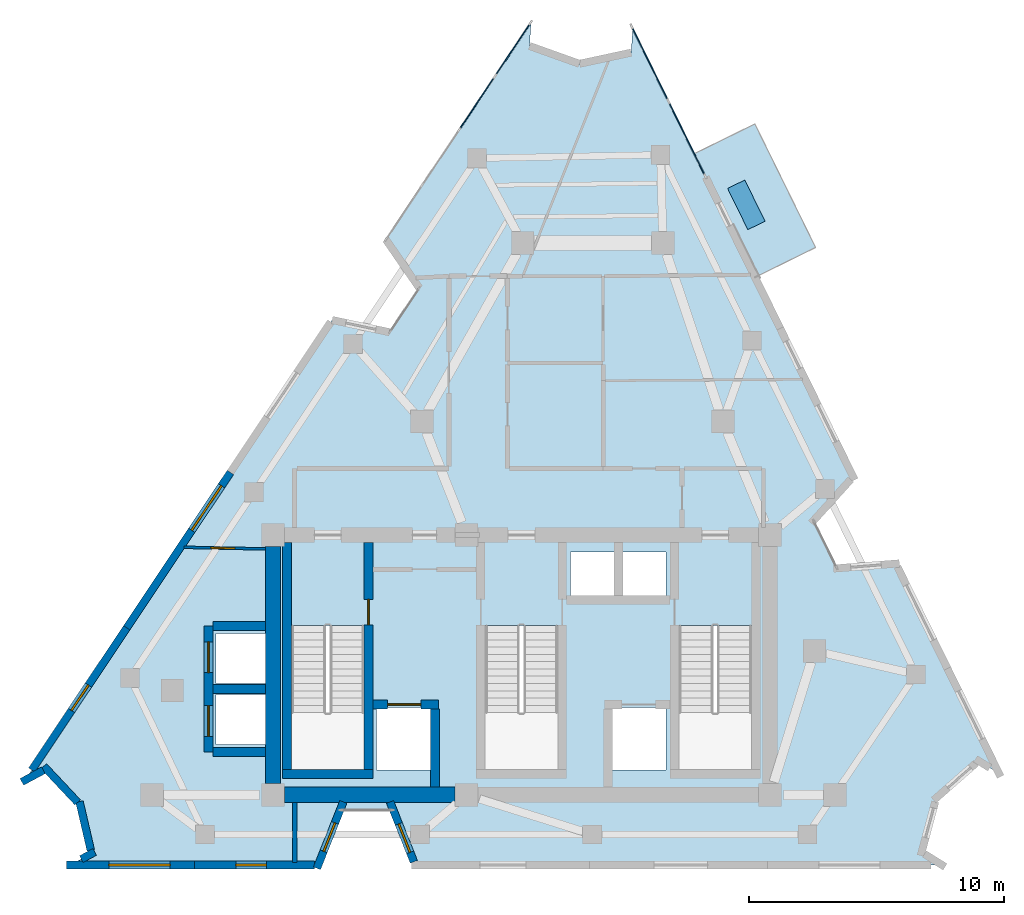
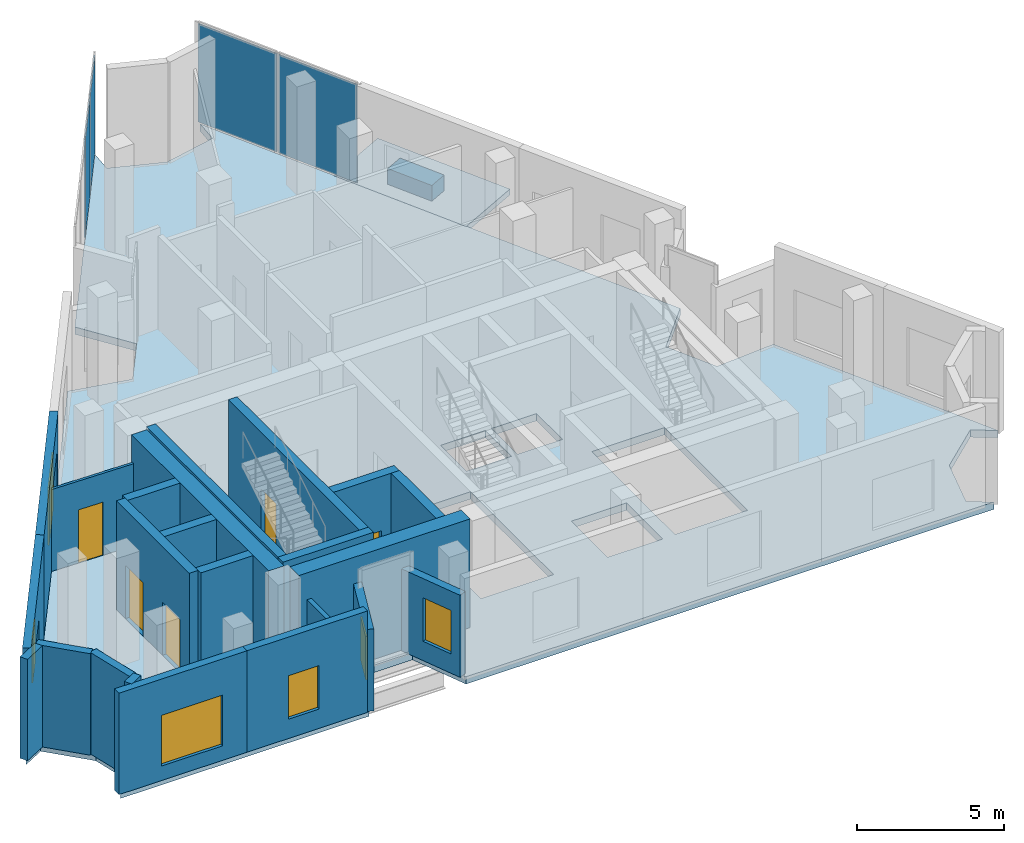
# One storey, part 5 of 9: 23 walls, 6 windows, 5 doors, 5 plates, 2 slabs, 11 openings, 2 elements without a shape of their own.
"""IFC4 building model written with IfcOpenShell, lengths in metres."""

from ifc_helpers import new_model, si_unit, direction, frame, frame_2d, origin, origin_2d, place, context, subcontext, project, spatial, polyline, rectangle, outline, extrude, material, layer, layer_set, type_object, element, fill, aggregate, save


model = new_model("IFC4")

# Units and contexts
model_context = context("Model", 3, precision=1e-05, world=origin(), true_north=direction((0.0, 1.0)))
body_context = subcontext(model_context, "Body", "Model", "MODEL_VIEW")
ifc_project = project(units=[si_unit("LENGTHUNIT", "METRE"), si_unit("AREAUNIT", "SQUARE_METRE"), si_unit("VOLUMEUNIT", "CUBIC_METRE"), si_unit("PLANEANGLEUNIT", "RADIAN"), si_unit("MASSUNIT", "GRAM", prefix="KILO")], contexts=[model_context])

# Site, building, storey
site_placement = place(None, origin())
site = spatial("IfcSite", under=ifc_project, at=site_placement, CompositionType="ELEMENT")
building_placement = place(site_placement, origin())
building = spatial("IfcBuilding", under=site, at=building_placement, Name="Almagre Mirador Tower", CompositionType="ELEMENT")
storey_placement = place(building_placement, frame((0.0, 0.0, 289.5)))
storey = spatial("IfcBuildingStorey", under=building, at=storey_placement, Name="L75", CompositionType="ELEMENT", Elevation=289.5)

# Curtain wall, plates
ifc_material_1 = material(Name="Black anodized aluminium", Category="aluminium")
ifc_layer_1 = layer(ifc_material_1, 0.22998046875)
ifc_layer_set_1 = layer_set([ifc_layer_1], Name="Black anodized aluminium")
curtain_wall_type = type_object("IfcCurtainWallType", Name="CW-SKY-SYS", PredefinedType="NOTDEFINED", material=ifc_layer_set_1)
curtain_wall_1_placement = place(storey_placement, origin())
curtain_wall_1 = element("IfcCurtainWall", 1, at=curtain_wall_1_placement, inside=storey, type_object=curtain_wall_type, Name="L75 curtain wall run 03", PredefinedType="NOTDEFINED")
ifc_material_2 = material(Name="Dark solar-control laminated hurricane glass", Category="glass")
ifc_layer_2 = layer(ifc_material_2, 0.0400390625)
ifc_layer_set_2 = layer_set([ifc_layer_2], Name="Dark solar-control laminated hurricane glass")
plate_type_1 = type_object("IfcPlateType", Name="PLT-GLZ-40", PredefinedType="CURTAIN_PANEL", material=ifc_layer_set_2)
plate_1_placement = place(storey_placement, frame((35.55224609375, 31.687744140625, 0.06494140625), z_axis=(0.0, 0.0, 1.0), x_axis=(0.555262371952, 0.831675236071, 0.0)))
plate_1 = element("IfcPlate", 2, at=plate_1_placement, type_object=plate_type_1, Name="CW-5 panel 1.1", PredefinedType="CURTAIN_PANEL", context=body_context, shape_type="SweptSolid", body=[
    extrude(rectangle(XDim=2.4599609375, YDim=0.0400390625, at=origin_2d()), origin(), (0.0, 0.0, 1.0), 4.070068359375),
])
plate_2_placement = place(storey_placement, frame((36.957275390625, 33.791748046875, 0.06494140625), z_axis=(0.0, 0.0, 1.0), x_axis=(0.555262371952, 0.831675236071, 0.0)))
plate_2 = element("IfcPlate", 3, at=plate_2_placement, type_object=plate_type_1, Name="CW-5 panel 2.1", PredefinedType="CURTAIN_PANEL", context=body_context, shape_type="SweptSolid", body=[
    extrude(rectangle(XDim=2.4599609375, YDim=0.0400390625, at=origin_2d()), origin(), (0.0, 0.0, 1.0), 4.070068359375),
])
aggregate(curtain_wall_1, [plate_1, plate_2])

curtain_wall_2_placement = place(storey_placement, origin())
curtain_wall_2 = element("IfcCurtainWall", 4, at=curtain_wall_2_placement, inside=storey, type_object=curtain_wall_type, Name="L75 curtain wall run 04", PredefinedType="NOTDEFINED")
plate_3_placement = place(storey_placement, frame((42.341796875, 33.23486328125, 0.06494140625), z_axis=(0.0, 0.0, 1.0), x_axis=(0.441304111225, -0.897357610664, 0.0)))
plate_3 = element("IfcPlate", 5, at=plate_3_placement, type_object=plate_type_1, Name="CW-5 panel 1.1", PredefinedType="CURTAIN_PANEL", context=body_context, shape_type="SweptSolid", body=[
    extrude(rectangle(XDim=3.20703125, YDim=0.0400390625, at=origin_2d()), origin(), (0.0, 0.0, 1.0), 4.070068359375),
])
plate_4_placement = place(storey_placement, frame((43.787841796875, 30.294189453125, 0.06494140625), z_axis=(0.0, 0.0, 1.0), x_axis=(0.441304111225, -0.897357610664, 0.0)))
plate_4 = element("IfcPlate", 6, at=plate_4_placement, type_object=plate_type_1, Name="CW-5 panel 2.1", PredefinedType="CURTAIN_PANEL", context=body_context, shape_type="SweptSolid", body=[
    extrude(rectangle(XDim=3.20703125, YDim=0.0400390625, at=origin_2d()), origin(), (0.0, 0.0, 1.0), 4.070068359375),
])
aggregate(curtain_wall_2, [plate_3, plate_4])

# Plate
ifc_material_3 = material(Name="Precast concrete C50/60", Category="concrete")
ifc_layer_3 = layer(ifc_material_3, 0.64990234375)
ifc_layer_set_3 = layer_set([ifc_layer_3], Name="Precast concrete C50/60")
plate_type_2 = type_object("IfcPlateType", Name="PLT-PLANTER-1800", PredefinedType="USERDEFINED", material=ifc_layer_set_3)
plate_5_placement = place(storey_placement, frame((46.1220703125, 27.698974609375, 0.0), z_axis=(0.0, 0.0, 1.0), x_axis=(-0.441286598035, 0.897366223119, 0.0)))
element("IfcPlate", 7, at=plate_5_placement, inside=storey, type_object=plate_type_2, Name="L75 east balcony structural tree planter 1", ObjectType="PLANTER", PredefinedType="USERDEFINED", context=body_context, shape_type="SweptSolid", body=[
    extrude(rectangle(XDim=1.800048828125, YDim=0.75, at=origin_2d()), origin(), (0.0, 0.0, 1.0), 0.64990234375),
])

# Slabs
ifc_material_4 = material(Name="Concrete C45/55", Category="concrete")
ifc_layer_4 = layer(ifc_material_4, 0.239990234375)
ifc_layer_set_4 = layer_set([ifc_layer_4], Name="Concrete C45/55")
slab_type_1 = type_object("IfcSlabType", Name="SLB-BAL-240", PredefinedType="USERDEFINED", material=ifc_layer_set_4)
slab_1_placement = place(storey_placement, frame((0.0, 0.0, -0.239990234375)))
element("IfcSlab", 8, at=slab_1_placement, inside=storey, type_object=slab_type_1, Name="L75 east planted tree balcony 1", ObjectType="BALCONY", PredefinedType="USERDEFINED", context=body_context, shape_type="SweptSolid", body=[
    extrude(outline(polyline([(46.443115234375, 24.847900390625), (44.06103515625, 29.694091796875), (46.45703125, 30.8720703125), (48.839111328125, 26.027099609375), (46.443115234375, 24.847900390625)])), origin(), (0.0, 0.0, 1.0), 0.239990234375),
])
ifc_material_5 = material(Name="Concrete C45/55", Category="concrete")
ifc_layer_5 = layer(ifc_material_5, 0.300048828125)
ifc_layer_set_5 = layer_set([ifc_layer_5], Name="Concrete C45/55")
slab_type_2 = type_object("IfcSlabType", Name="SLB-FLR-300", PredefinedType="FLOOR", material=ifc_layer_set_5)
slab_2_placement = place(storey_placement, frame((0.0, 0.0, -0.300048828125)))
element("IfcSlab", 9, at=slab_2_placement, inside=storey, type_object=slab_type_2, Name="L75 structural floor slab", PredefinedType="FLOOR", context=body_context, shape_type="SweptSolid", body=[
    extrude(outline(polyline([(17.821044921875, 5.126953125), (18.654052734375, 5.572021484375), (19.990966796875, 4.14794921875), (20.43310546875, 2.24609375), (19.60009765625, 1.800048828125), (29.327880859375, 1.800048828125), (30.18310546875, 3.949951171875), (32.27294921875, 3.949951171875), (33.1279296875, 1.800048828125), (53.800048828125, 1.800048828125), (52.998046875, 2.299072265625), (53.572021484375, 4.431884765625), (55.23291015625, 5.888916015625), (56.034912109375, 5.388916015625), (51.988037109375, 13.6201171875), (49.680908203125, 13.43798828125), (48.759033203125, 15.31396484375), (50.31103515625, 17.030029296875), (41.6650390625, 34.611083984375), (41.60302734375, 33.66796875), (39.572998046875, 33.23095703125), (37.616943359375, 33.929931640625), (37.678955078125, 34.873046875), (31.98193359375, 26.340087890625), (33.2958984375, 24.43505859375), (32.135009765625, 22.697021484375), (29.8720703125, 23.178955078125), (17.821044921875, 5.126953125)]), holes=[polyline([(43.47509765625, 5.550048828125), (43.47509765625, 11.196044921875), (46.324951171875, 11.196044921875), (46.324951171875, 5.550048828125), (43.47509765625, 5.550048828125)]), polyline([(41.219970703125, 12.320068359375), (41.219970703125, 14.080078125), (42.97998046875, 14.080078125), (42.97998046875, 12.320068359375), (41.219970703125, 12.320068359375)]), polyline([(42.97998046875, 5.52001953125), (40.820068359375, 5.52001953125), (40.820068359375, 7.97998046875), (42.97998046875, 7.97998046875), (42.97998046875, 5.52001953125)]), polyline([(39.219970703125, 12.320068359375), (39.219970703125, 14.080078125), (40.97998046875, 14.080078125), (40.97998046875, 12.320068359375), (39.219970703125, 12.320068359375)]), polyline([(35.875, 5.550048828125), (35.875, 11.196044921875), (38.72509765625, 11.196044921875), (38.72509765625, 5.550048828125), (35.875, 5.550048828125)]), polyline([(33.780029296875, 5.52001953125), (31.6201171875, 5.52001953125), (31.6201171875, 7.97998046875), (33.780029296875, 7.97998046875), (33.780029296875, 5.52001953125)]), polyline([(28.27490234375, 5.550048828125), (28.27490234375, 11.196044921875), (31.125, 11.196044921875), (31.125, 5.550048828125), (28.27490234375, 5.550048828125)]), polyline([(27.3798828125, 6.52001953125), (25.320068359375, 6.52001953125), (25.320068359375, 8.47998046875), (27.3798828125, 8.47998046875), (27.3798828125, 6.52001953125)]), polyline([(27.3798828125, 8.919921875), (25.320068359375, 8.919921875), (25.320068359375, 10.8798828125), (27.3798828125, 10.8798828125), (27.3798828125, 8.919921875)])]), origin(), (0.0, 0.0, 1.0), 0.300048828125),
])

# Wall, opening, window
ifc_material_6 = material(Name="Precast concrete C50/60", Category="concrete")
ifc_layer_6 = layer(ifc_material_6, 0.300048828125)
ifc_layer_set_6 = layer_set([ifc_layer_6], Name="Precast concrete C50/60")
wall_type_1 = type_object("IfcWallType", Name="WAL-EXT-300", PredefinedType="SOLIDWALL", material=ifc_layer_set_6)
wall_1_placement = place(storey_placement, frame((33.078125, 1.92529296875, 0.0), z_axis=(0.0, 0.0, 1.0), x_axis=(-0.369540985735, 0.929214431583, 0.0)))
wall_1 = element("IfcWall", 10, at=wall_1_placement, inside=storey, type_object=wall_type_1, Name="L75 expressed almagre precast frame wall 18", PredefinedType="SOLIDWALL", context=body_context, shape_type="SweptSolid", body=[
    extrude(rectangle(XDim=2.527099609375, YDim=0.300048828125, at=frame_2d((1.263671875, 0.0))), origin(), (0.0, 0.0, 1.0), 3.39599609375),
])
opening_1_placement = place(wall_1_placement, frame((0.39990234375, 0.0, 0.800048828125)))
opening_1 = element("IfcOpeningElement", 11, at=opening_1_placement, cuts=wall_1, Name="Opening WN-04", PredefinedType="OPENING", context=body_context, shape_type="SweptSolid", body=[
    extrude(rectangle(XDim=1.199951171875, YDim=1.800048828125, at=frame_2d((0.60009765625, 0.89990234375))), frame((0.0, 0.159902, 0.0), z_axis=(0.0, -1.0, 0.0), x_axis=(1.0, 0.0, 0.0)), (0.0, 0.0, 1.0), 0.320049),
])
ifc_material_7 = material(Name="Dark solar-control laminated hurricane glass", Category="glass")
window_type_1 = type_object("IfcWindowType", Name="WIN-1200X1800", PartitioningType="SINGLE_PANEL", PredefinedType="WINDOW", material=ifc_material_7)
window_1_placement = place(opening_1_placement, origin())
window_1 = element("IfcWindow", 12, at=window_1_placement, inside=storey, type_object=window_type_1, Name="L75 recessed hurricane window L75-MLEC-2", OverallHeight=1.800048828125, OverallWidth=1.199951171875, PartitioningType="SINGLE_PANEL", PredefinedType="WINDOW", context=body_context, shape_type="SweptSolid", body=[
    extrude(rectangle(XDim=1.199951171875, YDim=1.800048828125, at=frame_2d((0.60009765625, 0.89990234375))), frame((0.0, 0.030029296875, 0.0), z_axis=(0.0, -1.0, 0.0), x_axis=(1.0, 0.0, 0.0)), (0.0, 0.0, 1.0), 0.06005859375),
])
fill(opening_1, window_1)

wall_2_placement = place(storey_placement, frame((30.3115234375, 4.2734375, 0.0), z_axis=(0.0, 0.0, 1.0), x_axis=(-0.369466825356, -0.929243921132, 0.0)))
wall_2 = element("IfcWall", 13, at=wall_2_placement, inside=storey, type_object=wall_type_1, Name="L75 expressed almagre precast frame wall 19", PredefinedType="SOLIDWALL", context=body_context, shape_type="SweptSolid", body=[
    extrude(rectangle(XDim=2.8017578125, YDim=0.300048828125, at=frame_2d((1.40087890625, 0.0))), origin(), (0.0, 0.0, 1.0), 3.39599609375),
])
opening_2_placement = place(wall_2_placement, frame((0.883056640625, 0.0, 0.800048828125)))
opening_2 = element("IfcOpeningElement", 14, at=opening_2_placement, cuts=wall_2, Name="Opening WN-04", PredefinedType="OPENING", context=body_context, shape_type="SweptSolid", body=[
    extrude(rectangle(XDim=1.199951171875, YDim=1.800048828125, at=frame_2d((0.60009765625, 0.89990234375))), frame((0.0, 0.159902, 0.0), z_axis=(0.0, -1.0, 0.0), x_axis=(1.0, 0.0, 0.0)), (0.0, 0.0, 1.0), 0.320049),
])
window_2_placement = place(opening_2_placement, origin())
window_2 = element("IfcWindow", 15, at=window_2_placement, inside=storey, type_object=window_type_1, Name="L75 recessed hurricane window L75-MLEC-2", OverallHeight=1.800048828125, OverallWidth=1.199951171875, PartitioningType="SINGLE_PANEL", PredefinedType="WINDOW", context=body_context, shape_type="SweptSolid", body=[
    extrude(rectangle(XDim=1.199951171875, YDim=1.800048828125, at=frame_2d((0.60009765625, 0.89990234375))), frame((0.0, 0.030029296875, 0.0), z_axis=(0.0, -1.0, 0.0), x_axis=(1.0, 0.0, 0.0)), (0.0, 0.0, 1.0), 0.06005859375),
])
fill(opening_2, window_2)

wall_3_placement = place(storey_placement, frame((29.18798828125, 1.800048828125, 0.0), z_axis=(0.0, 0.0, 1.0), x_axis=(-1.0, 0.0, 0.0)))
wall_3 = element("IfcWall", 16, at=wall_3_placement, inside=storey, type_object=wall_type_1, Name="L75 expressed almagre precast frame wall 20", PredefinedType="SOLIDWALL", context=body_context, shape_type="SweptSolid", body=[
    extrude(rectangle(XDim=4.723876953125, YDim=0.300048828125, at=frame_2d((2.36181640625, 0.0))), origin(), (0.0, 0.0, 1.0), 4.199951171875),
])
opening_3_placement = place(wall_3_placement, frame((1.89501953125, 0.0, 0.800048828125)))
opening_3 = element("IfcOpeningElement", 17, at=opening_3_placement, cuts=wall_3, Name="Opening WN-04", PredefinedType="OPENING", context=body_context, shape_type="SweptSolid", body=[
    extrude(rectangle(XDim=1.199951171875, YDim=1.800048828125, at=frame_2d((0.60009765625, 0.89990234375))), frame((0.0, 0.159902, 0.0), z_axis=(0.0, -1.0, 0.0), x_axis=(1.0, 0.0, 0.0)), (0.0, 0.0, 1.0), 0.320049),
])
window_3_placement = place(opening_3_placement, origin())
window_3 = element("IfcWindow", 18, at=window_3_placement, inside=storey, type_object=window_type_1, Name="L75 recessed hurricane window L75-MPHT", OverallHeight=1.800048828125, OverallWidth=1.199951171875, PartitioningType="SINGLE_PANEL", PredefinedType="WINDOW", context=body_context, shape_type="SweptSolid", body=[
    extrude(rectangle(XDim=1.199951171875, YDim=1.800048828125, at=frame_2d((0.60009765625, 0.89990234375))), frame((0.0, 0.030029296875, 0.0), z_axis=(0.0, -1.0, 0.0), x_axis=(1.0, 0.0, 0.0)), (0.0, 0.0, 1.0), 0.06005859375),
])
fill(opening_3, window_3)

wall_4_placement = place(storey_placement, frame((24.464111328125, 1.800048828125, 0.0), z_axis=(0.0, 0.0, 1.0), x_axis=(-1.0, 0.0, 0.0)))
wall_4 = element("IfcWall", 19, at=wall_4_placement, inside=storey, type_object=wall_type_1, Name="L75 expressed almagre precast frame wall 21", PredefinedType="SOLIDWALL", context=body_context, shape_type="SweptSolid", body=[
    extrude(rectangle(XDim=5.004150390625, YDim=0.300048828125, at=frame_2d((2.501953125, 0.0))), origin(), (0.0, 0.0, 1.0), 4.199951171875),
])
opening_4_placement = place(wall_4_placement, frame((0.949951171875, 0.0, 0.60009765625)))
opening_4 = element("IfcOpeningElement", 20, at=opening_4_placement, cuts=wall_4, Name="Opening WN-02", PredefinedType="OPENING", context=body_context, shape_type="SweptSolid", body=[
    extrude(rectangle(XDim=2.39990234375, YDim=2.10009765625, at=frame_2d((1.199951171875, 1.050048828125))), frame((0.0, 0.159902, 0.0), z_axis=(0.0, -1.0, 0.0), x_axis=(1.0, 0.0, 0.0)), (0.0, 0.0, 1.0), 0.320049),
])
ifc_material_8 = material(Name="Dark solar-control laminated hurricane glass", Category="glass")
window_type_2 = type_object("IfcWindowType", Name="WIN-2400X2100", PartitioningType="TRIPLE_PANEL_VERTICAL", PredefinedType="WINDOW", material=ifc_material_8)
window_4_placement = place(opening_4_placement, origin())
window_4 = element("IfcWindow", 21, at=window_4_placement, inside=storey, type_object=window_type_2, Name="L75 recessed hurricane window L75-MPHT", OverallHeight=2.10009765625, OverallWidth=2.39990234375, PartitioningType="SINGLE_PANEL", PredefinedType="WINDOW", context=body_context, shape_type="SweptSolid", body=[
    extrude(rectangle(XDim=2.39990234375, YDim=2.10009765625, at=frame_2d((1.199951171875, 1.050048828125))), frame((0.0, 0.030029296875, 0.0), z_axis=(0.0, -1.0, 0.0), x_axis=(1.0, 0.0, 0.0)), (0.0, 0.0, 1.0), 0.06005859375),
])
fill(opening_4, window_4)

# Walls
wall_5_placement = place(storey_placement, frame((20.031982421875, 2.03125, 0.0), z_axis=(0.0, 0.0, 1.0), x_axis=(0.881601971089, 0.471993606495, 0.0)))
element("IfcWall", 22, at=wall_5_placement, inside=storey, type_object=wall_type_1, Name="L75 expressed almagre precast frame wall 22", PredefinedType="SOLIDWALL", context=body_context, shape_type="SweptSolid", body=[
    extrude(rectangle(XDim=0.5947265625, YDim=0.300048828125, at=frame_2d((0.29736328125, 0.0))), origin(), (0.0, 0.0, 1.0), 4.199951171875),
])
wall_6_placement = place(storey_placement, frame((20.403564453125, 2.37255859375, 0.0), z_axis=(0.0, 0.0, 1.0), x_axis=(-0.226376282289, 0.974039926706, 0.0)))
element("IfcWall", 23, at=wall_6_placement, inside=storey, type_object=wall_type_1, Name="L75 expressed almagre precast frame wall 23", PredefinedType="SOLIDWALL", context=body_context, shape_type="SweptSolid", body=[
    extrude(rectangle(XDim=1.962890625, YDim=0.300048828125, at=frame_2d((0.9814453125, 0.0))), origin(), (0.0, 0.0, 1.0), 4.199951171875),
])
wall_7_placement = place(storey_placement, frame((19.88818359375, 4.25732421875, 0.0), z_axis=(0.0, 0.0, 1.0), x_axis=(-0.684454988333, 0.72905512065, 0.0)))
element("IfcWall", 24, at=wall_7_placement, inside=storey, type_object=wall_type_1, Name="L75 expressed almagre precast frame wall 24", PredefinedType="SOLIDWALL", context=body_context, shape_type="SweptSolid", body=[
    extrude(rectangle(XDim=1.943359375, YDim=0.300048828125, at=frame_2d((0.9716796875, 0.0))), origin(), (0.0, 0.0, 1.0), 4.199951171875),
])
wall_8_placement = place(storey_placement, frame((18.543701171875, 5.51318359375, 0.0), z_axis=(0.0, 0.0, 1.0), x_axis=(-0.881986380724, -0.471274892412, 0.0)))
element("IfcWall", 25, at=wall_8_placement, inside=storey, type_object=wall_type_1, Name="L75 expressed almagre precast frame wall 25", PredefinedType="SOLIDWALL", context=body_context, shape_type="SweptSolid", body=[
    extrude(rectangle(XDim=0.95947265625, YDim=0.300048828125, at=frame_2d((0.479736328125, 0.0))), origin(), (0.0, 0.0, 1.0), 4.199951171875),
])

# Wall, opening, window
wall_9_placement = place(storey_placement, frame((18.08740234375, 5.5263671875, 0.0), z_axis=(0.0, 0.0, 1.0), x_axis=(0.555237602255, 0.831691772859, 0.0)))
wall_9 = element("IfcWall", 26, at=wall_9_placement, inside=storey, type_object=wall_type_1, Name="L75 expressed almagre precast frame wall 26", PredefinedType="SOLIDWALL", context=body_context, shape_type="SweptSolid", body=[
    extrude(rectangle(XDim=6.708251953125, YDim=0.300048828125, at=frame_2d((3.35400390625, 0.0))), origin(), (0.0, 0.0, 1.0), 4.199951171875),
])
opening_5_placement = place(wall_9_placement, frame((2.804931640625, 0.0, 0.800048828125)))
opening_5 = element("IfcOpeningElement", 27, at=opening_5_placement, cuts=wall_9, Name="Opening WN-04", PredefinedType="OPENING", context=body_context, shape_type="SweptSolid", body=[
    extrude(rectangle(XDim=1.199951171875, YDim=1.800048828125, at=frame_2d((0.60009765625, 0.89990234375))), frame((0.0, 0.159902, 0.0), z_axis=(0.0, -1.0, 0.0), x_axis=(1.0, 0.0, 0.0)), (0.0, 0.0, 1.0), 0.320049),
])
window_5_placement = place(opening_5_placement, origin())
window_5 = element("IfcWindow", 28, at=window_5_placement, inside=storey, type_object=window_type_1, Name="L75 recessed hurricane window L75-MPHT", OverallHeight=1.800048828125, OverallWidth=1.199951171875, PartitioningType="SINGLE_PANEL", PredefinedType="WINDOW", context=body_context, shape_type="SweptSolid", body=[
    extrude(rectangle(XDim=1.199951171875, YDim=1.800048828125, at=frame_2d((0.60009765625, 0.89990234375))), frame((0.0, 0.030029296875, 0.0), z_axis=(0.0, -1.0, 0.0), x_axis=(1.0, 0.0, 0.0)), (0.0, 0.0, 1.0), 0.06005859375),
])
fill(opening_5, window_5)

wall_10_placement = place(storey_placement, frame((21.81201171875, 11.10546875, 0.0), z_axis=(0.0, 0.0, 1.0), x_axis=(0.555222871335, 0.831701607036, 0.0)))
wall_10 = element("IfcWall", 29, at=wall_10_placement, inside=storey, type_object=wall_type_1, Name="L75 expressed almagre precast frame wall 27", PredefinedType="SOLIDWALL", context=body_context, shape_type="SweptSolid", body=[
    extrude(rectangle(XDim=7.328369140625, YDim=0.300048828125, at=frame_2d((3.6640625, 0.0))), origin(), (0.0, 0.0, 1.0), 4.199951171875),
])
opening_6_placement = place(wall_10_placement, frame((4.60009765625, 0.0, 0.550048828125)))
opening_6 = element("IfcOpeningElement", 30, at=opening_6_placement, cuts=wall_10, Name="Opening WN-05", PredefinedType="OPENING", context=body_context, shape_type="SweptSolid", body=[
    extrude(rectangle(XDim=2.10009765625, YDim=2.39990234375, at=frame_2d((1.050048828125, 1.199951171875))), frame((0.0, 0.159902, 0.0), z_axis=(0.0, -1.0, 0.0), x_axis=(1.0, 0.0, 0.0)), (0.0, 0.0, 1.0), 0.320049),
])
ifc_material_9 = material(Name="Dark solar-control laminated hurricane glass", Category="glass")
window_type_3 = type_object("IfcWindowType", Name="WIN-2100X2400", PartitioningType="DOUBLE_PANEL_VERTICAL", PredefinedType="WINDOW", material=ifc_material_9)
window_6_placement = place(opening_6_placement, origin())
window_6 = element("IfcWindow", 31, at=window_6_placement, inside=storey, type_object=window_type_3, Name="L75 recessed hurricane window L75-MSTD", OverallHeight=2.39990234375, OverallWidth=2.10009765625, PartitioningType="SINGLE_PANEL", PredefinedType="WINDOW", context=body_context, shape_type="SweptSolid", body=[
    extrude(rectangle(XDim=2.10009765625, YDim=2.39990234375, at=frame_2d((1.050048828125, 1.199951171875))), frame((0.0, 0.030029296875, 0.0), z_axis=(0.0, -1.0, 0.0), x_axis=(1.0, 0.0, 0.0)), (0.0, 0.0, 1.0), 0.06005859375),
])
fill(opening_6, window_6)

# Wall, opening, door
ifc_material_10 = material(Name="Gypsum acoustic stud partition", Category="other")
ifc_layer_7 = layer(ifc_material_10, 0.10009765625)
ifc_layer_set_7 = layer_set([ifc_layer_7], Name="Gypsum acoustic stud partition")
wall_type_2 = type_object("IfcWallType", Name="WAL-PRT-100-CLS", PredefinedType="PARTITIONING", material=ifc_layer_set_7)
wall_11_placement = place(storey_placement, frame((24.054931640625, 14.263916015625, 0.0), z_axis=(0.0, 0.0, 1.0), x_axis=(0.99979966268, -0.020015856317, 0.0)))
wall_11 = element("IfcWall", 32, at=wall_11_placement, inside=storey, type_object=wall_type_2, Name="L75 interior partition 023", PredefinedType="PARTITIONING", context=body_context, shape_type="SweptSolid", body=[
    extrude(rectangle(XDim=3.19580078125, YDim=0.10009765625, at=frame_2d((1.597900390625, 0.0))), origin(), (0.0, 0.0, 1.0), 3.39111328125),
])
opening_7_placement = place(wall_11_placement, frame((1.0556640625, 0.0, 0.0)))
opening_7 = element("IfcOpeningElement", 33, at=opening_7_placement, cuts=wall_11, Name="Opening UD-01", PredefinedType="OPENING", context=body_context, shape_type="SweptSolid", body=[
    extrude(rectangle(XDim=0.949951171875, YDim=2.199951171875, at=frame_2d((0.47509765625, 1.10009765625))), frame((0.0, 0.060049, 0.0), z_axis=(0.0, -1.0, 0.0), x_axis=(1.0, 0.0, 0.0)), (0.0, 0.0, 1.0), 0.120098),
])
ifc_material_11 = material(Name="Solid American walnut timber", Category="wood")
door_type_1 = type_object("IfcDoorType", Name="DOR-UNR-950X2200", OperationType="NOTDEFINED", PredefinedType="DOOR", material=ifc_material_11)
door_1_placement = place(opening_7_placement, origin())
door_1 = element("IfcDoor", 34, at=door_1_placement, inside=storey, type_object=door_type_1, Name="DR-2250 L75 interior door L75-MSTD to L75-MPHT", OperationType="SINGLE_SWING_RIGHT", OverallHeight=2.199951171875, OverallWidth=0.949951171875, PredefinedType="DOOR", context=body_context, shape_type="SweptSolid", body=[
    extrude(rectangle(XDim=0.949951171875, YDim=2.199951171875, at=frame_2d((0.47509765625, 1.10009765625))), frame((0.0, 0.02490234375, 0.0), z_axis=(0.0, -1.0, 0.0), x_axis=(1.0, 0.0, 0.0)), (0.0, 0.0, 1.0), 0.050048828125),
])
fill(opening_7, door_1)

# Walls
ifc_material_12 = material(Name="Gypsum acoustic stud partition", Category="other")
ifc_layer_8 = layer(ifc_material_12, 0.175048828125)
ifc_layer_set_8 = layer_set([ifc_layer_8], Name="Gypsum acoustic stud partition")
wall_type_3 = type_object("IfcWallType", Name="WAL-PRT-175-AC", PredefinedType="PARTITIONING", material=ifc_layer_set_8)
wall_12_placement = place(storey_placement, frame((28.39990234375, 4.25, 0.0), z_axis=(0.0, 0.0, 1.0), x_axis=(0.0, -1.0, 0.0)))
element("IfcWall", 35, at=wall_12_placement, inside=storey, type_object=wall_type_3, Name="L75 interior partition 015", PredefinedType="PARTITIONING", context=body_context, shape_type="SweptSolid", body=[
    extrude(rectangle(XDim=2.35009765625, YDim=0.175048828125, at=frame_2d((1.175048828125, 0.0))), origin(), (0.0, 0.0, 1.0), 3.39111328125),
])
ifc_material_13 = material(Name="Concrete C60/75", Category="concrete")
ifc_layer_9 = layer(ifc_material_13, 0.35009765625)
ifc_layer_set_9 = layer_set([ifc_layer_9], Name="Concrete C60/75")
wall_type_4 = type_object("IfcWallType", Name="WAL-SHF-350", PredefinedType="SOLIDWALL", material=ifc_layer_set_9)
wall_13_placement = place(storey_placement, frame((28.10009765625, 5.199951171875, 0.0), z_axis=(0.0, 0.0, 1.0), x_axis=(0.0, 1.0, 0.0)))
element("IfcWall", 36, at=wall_13_placement, inside=storey, type_object=wall_type_4, Name="L75 shaft wall ST1-W", PredefinedType="SOLIDWALL", context=body_context, shape_type="SweptSolid", body=[
    extrude(rectangle(XDim=9.25, YDim=0.35009765625, at=frame_2d((4.625, 0.0))), origin(), (0.0, 0.0, 1.0), 4.5),
])

# Wall, opening, door
wall_14_placement = place(storey_placement, frame((31.300048828125, 5.199951171875, 0.0), z_axis=(0.0, 0.0, 1.0), x_axis=(0.0, 1.0, 0.0)))
wall_14 = element("IfcWall", 37, at=wall_14_placement, inside=storey, type_object=wall_type_4, Name="L75 shaft wall ST1-E", PredefinedType="SOLIDWALL", context=body_context, shape_type="SweptSolid", body=[
    extrude(rectangle(XDim=9.25, YDim=0.35009765625, at=frame_2d((4.625, 0.0))), origin(), (0.0, 0.0, 1.0), 4.5),
])
opening_8_placement = place(wall_14_placement, frame((6.02001953125, 0.0, 0.0)))
opening_8 = element("IfcOpeningElement", 38, at=opening_8_placement, cuts=wall_14, Name="Opening FD-01", PredefinedType="OPENING", context=body_context, shape_type="SweptSolid", body=[
    extrude(rectangle(XDim=1.0, YDim=2.14990234375, at=frame_2d((0.5, 1.074951171875))), frame((0.0, 0.185049, 0.0), z_axis=(0.0, -1.0, 0.0), x_axis=(1.0, 0.0, 0.0)), (0.0, 0.0, 1.0), 0.370098),
])
ifc_material_14 = material(Name="Fire-rated hollow steel", Category="steel")
door_type_2 = type_object("IfcDoorType", Name="DOR-FFL-1000X2150", OperationType="NOTDEFINED", PredefinedType="DOOR", material=ifc_material_14)
door_2_placement = place(opening_8_placement, origin())
door_2 = element("IfcDoor", 39, at=door_2_placement, inside=storey, type_object=door_type_2, Name="DR-2239 L75 FFL1-ST1 smokeproof door", OperationType="SINGLE_SWING_RIGHT", OverallHeight=2.14990234375, OverallWidth=1.0, PredefinedType="DOOR", context=body_context, shape_type="SweptSolid", body=[
    extrude(rectangle(XDim=1.0, YDim=2.14990234375, at=frame_2d((0.5, 1.074951171875))), frame((0.0, 0.02490234375, 0.0), z_axis=(0.0, -1.0, 0.0), x_axis=(1.0, 0.0, 0.0)), (0.0, 0.0, 1.0), 0.050048828125),
])
fill(opening_8, door_2)

# Wall
wall_15_placement = place(storey_placement, frame((27.925048828125, 5.375, 0.0), z_axis=(0.0, 0.0, 1.0), x_axis=(1.0, 0.0, 0.0)))
element("IfcWall", 40, at=wall_15_placement, inside=storey, type_object=wall_type_4, Name="L75 shaft wall ST1-S", PredefinedType="SOLIDWALL", context=body_context, shape_type="SweptSolid", body=[
    extrude(rectangle(XDim=3.550048828125, YDim=0.35009765625, at=frame_2d((1.77490234375, 0.0))), origin(), (0.0, 0.0, 1.0), 4.5),
])

# Wall, opening, door
wall_16_placement = place(storey_placement, frame((31.47509765625, 8.10009765625, 0.0), z_axis=(0.0, 0.0, 1.0), x_axis=(1.0, 0.0, 0.0)))
wall_16 = element("IfcWall", 41, at=wall_16_placement, inside=storey, type_object=wall_type_4, Name="L75 shaft wall FSAE1-N", PredefinedType="SOLIDWALL", context=body_context, shape_type="SweptSolid", body=[
    extrude(rectangle(XDim=2.574951171875, YDim=0.35009765625, at=frame_2d((1.28759765625, 0.0))), origin(), (0.0, 0.0, 1.0), 4.5),
])
opening_9_placement = place(wall_16_placement, frame((0.574951171875, 0.0, 0.0)))
opening_9 = element("IfcOpeningElement", 42, at=opening_9_placement, cuts=wall_16, Name="Opening LD-03", PredefinedType="OPENING", context=body_context, shape_type="SweptSolid", body=[
    extrude(rectangle(XDim=1.300048828125, YDim=2.25, at=frame_2d((0.64990234375, 1.125))), frame((0.0, 0.185049, 0.0), z_axis=(0.0, -1.0, 0.0), x_axis=(1.0, 0.0, 0.0)), (0.0, 0.0, 1.0), 0.370098),
])
ifc_material_15 = material(Name="Hollow stainless steel", Category="steel")
door_type_3 = type_object("IfcDoorType", Name="DOR-LD-1300X2250", OperationType="DOUBLE_DOOR_SLIDING", PredefinedType="DOOR", material=ifc_material_15)
door_3_placement = place(opening_9_placement, origin())
door_3 = element("IfcDoor", 43, at=door_3_placement, inside=storey, type_object=door_type_3, Name="DR-2251 L75 FSAE-1 lift landing door", OperationType="DOUBLE_DOOR_SLIDING", OverallHeight=2.25, OverallWidth=1.300048828125, PredefinedType="DOOR", context=body_context, shape_type="SweptSolid", body=[
    extrude(rectangle(XDim=1.300048828125, YDim=2.25, at=frame_2d((0.64990234375, 1.125))), frame((0.0, 0.02490234375, 0.0), z_axis=(0.0, -1.0, 0.0), x_axis=(1.0, 0.0, 0.0)), (0.0, 0.0, 1.0), 0.050048828125),
])
fill(opening_9, door_3)

# Wall
wall_17_placement = place(storey_placement, frame((33.89990234375, 4.85009765625, 0.0), z_axis=(0.0, 0.0, 1.0), x_axis=(0.0, 1.0, 0.0)))
element("IfcWall", 44, at=wall_17_placement, inside=storey, type_object=wall_type_4, Name="L75 shaft wall FSAE1-E", PredefinedType="SOLIDWALL", context=body_context, shape_type="SweptSolid", body=[
    extrude(rectangle(XDim=3.074951171875, YDim=0.35009765625, at=frame_2d((1.53759765625, 0.0))), origin(), (0.0, 0.0, 1.0), 4.5),
])

# Wall, openings, doors
wall_18_placement = place(storey_placement, frame((25.02490234375, 6.22509765625, 0.0), z_axis=(0.0, 0.0, 1.0), x_axis=(0.0, 1.0, 0.0)))
wall_18 = element("IfcWall", 45, at=wall_18_placement, inside=storey, type_object=wall_type_4, Name="L75 shaft wall OL-W", PredefinedType="SOLIDWALL", context=body_context, shape_type="SweptSolid", body=[
    extrude(rectangle(XDim=4.949951171875, YDim=0.35009765625, at=frame_2d((2.47509765625, 0.0))), origin(), (0.0, 0.0, 1.0), 4.5),
])
opening_10_placement = place(wall_18_placement, frame((0.625, 0.0, 0.0)))
opening_10 = element("IfcOpeningElement", 46, at=opening_10_placement, cuts=wall_18, Name="Opening LD-02", PredefinedType="OPENING", context=body_context, shape_type="SweptSolid", body=[
    extrude(rectangle(XDim=1.199951171875, YDim=2.199951171875, at=frame_2d((0.60009765625, 1.10009765625))), frame((0.0, 0.185049, 0.0), z_axis=(0.0, -1.0, 0.0), x_axis=(1.0, 0.0, 0.0)), (0.0, 0.0, 1.0), 0.370098),
])
opening_11_placement = place(wall_18_placement, frame((3.125, 0.0, 0.0)))
opening_11 = element("IfcOpeningElement", 47, at=opening_11_placement, cuts=wall_18, Name="Opening LD-02", PredefinedType="OPENING", context=body_context, shape_type="SweptSolid", body=[
    extrude(rectangle(XDim=1.199951171875, YDim=2.199951171875, at=frame_2d((0.60009765625, 1.10009765625))), frame((0.0, 0.185049, 0.0), z_axis=(0.0, -1.0, 0.0), x_axis=(1.0, 0.0, 0.0)), (0.0, 0.0, 1.0), 0.370098),
])
ifc_material_16 = material(Name="Hollow stainless steel", Category="steel")
door_type_4 = type_object("IfcDoorType", Name="DOR-LD-1200X2200", OperationType="DOUBLE_DOOR_SLIDING", PredefinedType="DOOR", material=ifc_material_16)
door_4_placement = place(opening_10_placement, origin())
door_4 = element("IfcDoor", 48, at=door_4_placement, inside=storey, type_object=door_type_4, Name="DR-2253 L75 OL-1 express shuttle landing door", OperationType="DOUBLE_DOOR_SLIDING", OverallHeight=2.199951171875, OverallWidth=1.199951171875, PredefinedType="DOOR", context=body_context, shape_type="SweptSolid", body=[
    extrude(rectangle(XDim=1.199951171875, YDim=2.199951171875, at=frame_2d((0.60009765625, 1.10009765625))), frame((0.0, 0.02490234375, 0.0), z_axis=(0.0, -1.0, 0.0), x_axis=(1.0, 0.0, 0.0)), (0.0, 0.0, 1.0), 0.050048828125),
])
fill(opening_10, door_4)
door_5_placement = place(opening_11_placement, origin())
door_5 = element("IfcDoor", 49, at=door_5_placement, inside=storey, type_object=door_type_4, Name="DR-2254 L75 OL-2 express shuttle landing door", OperationType="DOUBLE_DOOR_SLIDING", OverallHeight=2.199951171875, OverallWidth=1.199951171875, PredefinedType="DOOR", context=body_context, shape_type="SweptSolid", body=[
    extrude(rectangle(XDim=1.199951171875, YDim=2.199951171875, at=frame_2d((0.60009765625, 1.10009765625))), frame((0.0, 0.02490234375, 0.0), z_axis=(0.0, -1.0, 0.0), x_axis=(1.0, 0.0, 0.0)), (0.0, 0.0, 1.0), 0.050048828125),
])
fill(opening_11, door_5)

# Walls
for number, where, z_axis, x_axis, name in (
    (50, (25.199951171875, 6.22509765625, 0.0), (0.0, 0.0, 1.0), (1.0, 0.0, 0.0), "L75 shaft wall OL-S"),
    (51, (25.199951171875, 8.699951171875, 0.0), (0.0, 0.0, 1.0), (1.0, 0.0, 0.0), "L75 shaft wall OL-M"),
    (52, (25.199951171875, 11.175048828125, 0.0), (0.0, 0.0, 1.0), (1.0, 0.0, 0.0), "L75 shaft wall OL-N"),
):
    element("IfcWall", number, at=place(storey_placement, frame(where, z_axis=z_axis, x_axis=x_axis)), inside=storey, type_object=wall_type_4, Name=name, PredefinedType="SOLIDWALL", context=body_context, shape_type="SweptSolid", body=[
        extrude(rectangle(XDim=2.050048828125, YDim=0.35009765625, at=frame_2d((1.02490234375, 0.0))), origin(), (0.0, 0.0, 1.0), 4.5),
    ])
ifc_material_17 = material(Name="Concrete C60/75", Category="concrete")
ifc_layer_10 = layer(ifc_material_17, 0.60009765625)
ifc_layer_set_10 = layer_set([ifc_layer_10], Name="Concrete C60/75")
wall_type_5 = type_object("IfcWallType", Name="WAL-SHR-600", PredefinedType="SHEAR", material=ifc_layer_set_10)
wall_19_placement = place(storey_placement, frame((28.0, 4.550048828125, 0.0), z_axis=(0.0, 0.0, 1.0), x_axis=(1.0, 0.0, 0.0)))
element("IfcWall", 53, at=wall_19_placement, inside=storey, type_object=wall_type_5, Name="L75 core shear wall S1", PredefinedType="SHEAR", context=body_context, shape_type="SweptSolid", body=[
    extrude(rectangle(XDim=6.699951171875, YDim=0.60009765625, at=frame_2d((3.35009765625, 0.0))), origin(), (0.0, 0.0, 1.0), 4.5),
])
wall_20_placement = place(storey_placement, frame((27.550048828125, 5.0, 0.0), z_axis=(0.0, 0.0, 1.0), x_axis=(0.0, 1.0, 0.0)))
element("IfcWall", 54, at=wall_20_placement, inside=storey, type_object=wall_type_5, Name="L75 core shear wall W1", PredefinedType="SHEAR", context=body_context, shape_type="SweptSolid", body=[
    extrude(rectangle(XDim=9.300048828125, YDim=0.60009765625, at=frame_2d((4.64990234375, 0.0))), origin(), (0.0, 0.0, 1.0), 4.5),
])

save(model, "model.ifc")
